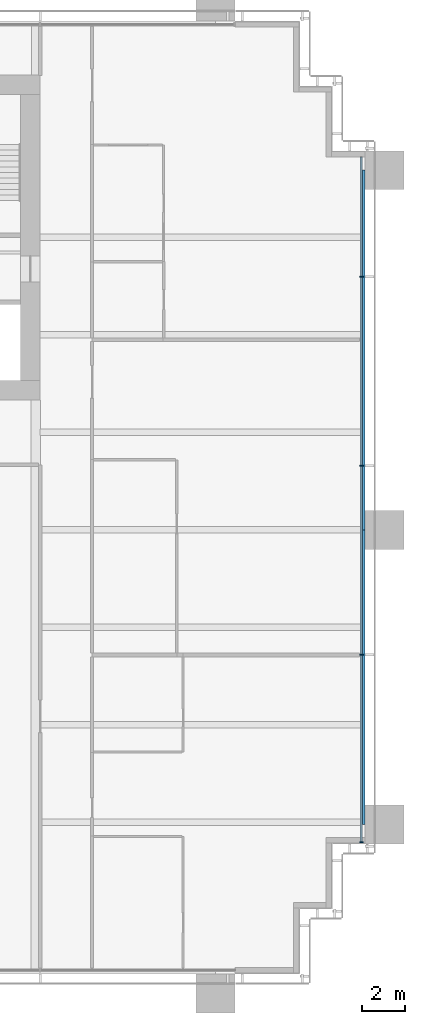
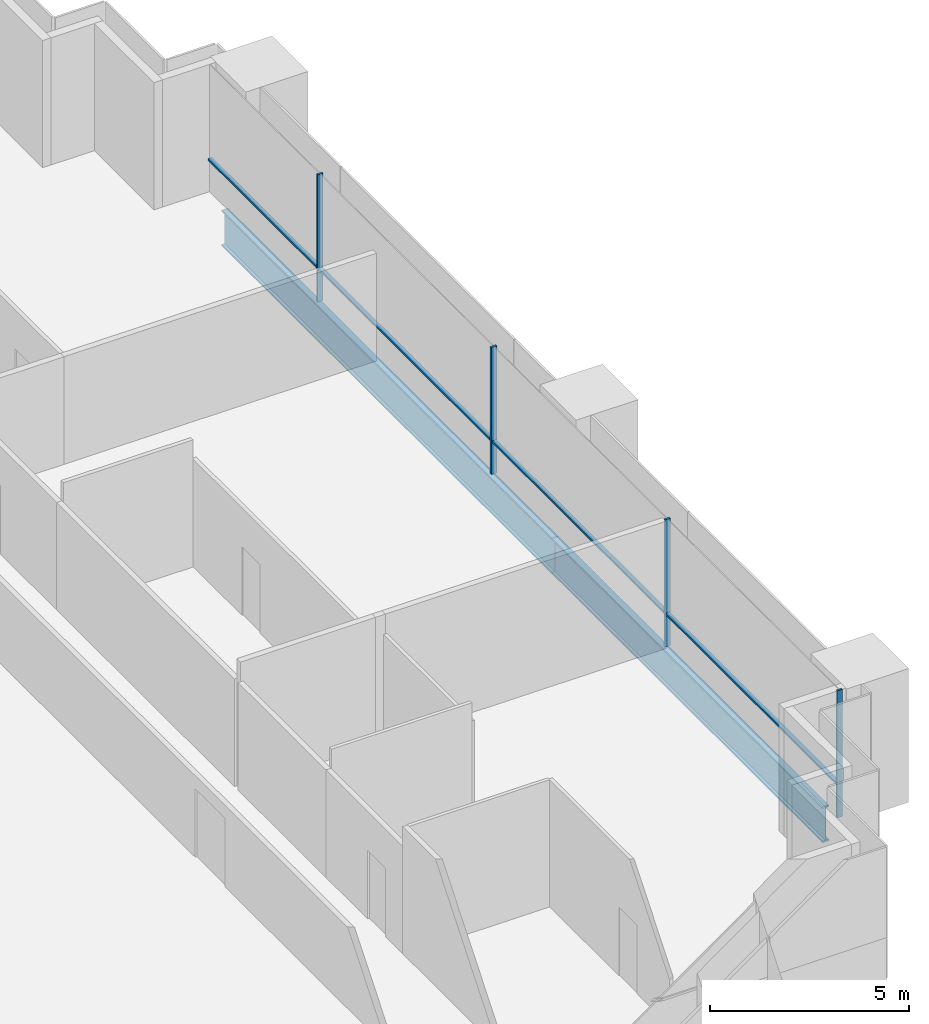
# One storey, part 9 of 19: 8 members, 2 beams, 1 element without a shape of its own.
"""IFC4 building model written with IfcOpenShell, lengths in metres."""

from ifc_helpers import new_model, si_unit, direction, frame, origin, origin_2d, place, context, subcontext, project, spatial, rectangle, i_section, extrude, material, material_profile, profile_set, type_object, element, aggregate, save


model = new_model("IFC4")

# Units and contexts
model_context = context("Model", 3, precision=1e-05, world=origin(), true_north=direction((0.0, 1.0)))
body_context = subcontext(model_context, "Body", "Model", "MODEL_VIEW")
ifc_project = project(units=[si_unit("LENGTHUNIT", "METRE"), si_unit("AREAUNIT", "SQUARE_METRE"), si_unit("VOLUMEUNIT", "CUBIC_METRE"), si_unit("PLANEANGLEUNIT", "RADIAN"), si_unit("MASSUNIT", "GRAM", prefix="KILO")], contexts=[model_context])

# Site, building, storey
site_placement = place(None, origin())
site = spatial("IfcSite", under=ifc_project, at=site_placement, CompositionType="ELEMENT")
building_placement = place(site_placement, origin())
building = spatial("IfcBuilding", under=site, at=building_placement, Name="Rattan Terrace Tower", CompositionType="ELEMENT")
storey_placement = place(building_placement, frame((0.0, 0.0, 65.199951171875)))
storey = spatial("IfcBuildingStorey", under=building, at=storey_placement, Name="L14", CompositionType="ELEMENT", Elevation=65.199951171875)

# Curtain wall, members
ifc_material_1 = material(Name="Aluminium and glass", Category="aluminium")
curtain_wall_type = type_object("IfcCurtainWallType", Name="Facade Unitised Curtain Wall", PredefinedType="NOTDEFINED", material=ifc_material_1)
curtain_wall_placement = place(storey_placement, origin())
curtain_wall = element("IfcCurtainWall", 1, at=curtain_wall_placement, inside=storey, type_object=curtain_wall_type, Name="Curtain wall L14-1", PredefinedType="NOTDEFINED")
ifc_material_2 = material(Name="Aluminium", Category="aluminium")
ifc_material_profile_1 = material_profile(ifc_material_2, rectangle(XDim=0.06005859375, YDim=0.159912109375, at=origin_2d()), Name="Aluminium 60x160")
ifc_profile_set_1 = profile_set([ifc_material_profile_1], Name="Aluminium")
member_type_1 = type_object("IfcMemberType", Name="Facade CW Mullion 60x160", PredefinedType="MULLION", material=ifc_profile_set_1)
member_1_placement = place(storey_placement, frame((32.830078125, -27.925048828125, 0.0), z_axis=(0.0, 0.0, 1.0), x_axis=(0.0, 1.0, 0.0)))
member_1 = element("IfcMember", 2, at=member_1_placement, type_object=member_type_1, Name="Mullion cwl-L14-001.1", PredefinedType="MULLION", context=body_context, shape_type="SweptSolid", body=[
    extrude(rectangle(XDim=0.06005859375, YDim=0.159912109375, at=origin_2d()), origin(), (0.0, 0.0, 1.0), 3.900146484375),
])
member_2_placement = place(storey_placement, frame((32.830078125, -19.27294921875, 0.0), z_axis=(0.0, 0.0, 1.0), x_axis=(0.0, 1.0, 0.0)))
member_2 = element("IfcMember", 3, at=member_2_placement, type_object=member_type_1, Name="Mullion cwl-L14-001.2", PredefinedType="MULLION", context=body_context, shape_type="SweptSolid", body=[
    extrude(rectangle(XDim=0.06005859375, YDim=0.159912109375, at=origin_2d()), origin(), (0.0, 0.0, 1.0), 3.900146484375),
])
member_3_placement = place(storey_placement, frame((32.830078125, -10.5458984375, 0.0), z_axis=(0.0, 0.0, 1.0), x_axis=(0.0, 1.0, 0.0)))
member_3 = element("IfcMember", 4, at=member_3_placement, type_object=member_type_1, Name="Mullion cwl-L14-001.3", PredefinedType="MULLION", context=body_context, shape_type="SweptSolid", body=[
    extrude(rectangle(XDim=0.06005859375, YDim=0.159912109375, at=origin_2d()), origin(), (0.0, 0.0, 1.0), 3.900146484375),
])
member_4_placement = place(storey_placement, frame((32.830078125, -1.819091796875, 0.0), z_axis=(0.0, 0.0, 1.0), x_axis=(0.0, 1.0, 0.0)))
member_4 = element("IfcMember", 5, at=member_4_placement, type_object=member_type_1, Name="Mullion cwl-L14-001.4", PredefinedType="MULLION", context=body_context, shape_type="SweptSolid", body=[
    extrude(rectangle(XDim=0.06005859375, YDim=0.159912109375, at=origin_2d()), origin(), (0.0, 0.0, 1.0), 3.900146484375),
])
ifc_material_3 = material(Name="Aluminium", Category="aluminium")
ifc_material_profile_2 = material_profile(ifc_material_3, rectangle(XDim=0.1201171875, YDim=0.06005859375, at=origin_2d()), Name="Aluminium 120x60")
ifc_profile_set_2 = profile_set([ifc_material_profile_2], Name="Aluminium")
member_type_2 = type_object("IfcMemberType", Name="Facade CW Transom 120x60", PredefinedType="USERDEFINED", material=ifc_profile_set_2)
member_5_placement = place(storey_placement, frame((32.830078125, -27.89501953125, 1.0), z_axis=(0.0, 1.0, 0.0), x_axis=(-1.0, 0.0, 0.0)))
member_5 = element("IfcMember", 6, at=member_5_placement, type_object=member_type_2, Name="Transom cwl-L14-001.1", ObjectType="TRANSOM", PredefinedType="USERDEFINED", context=body_context, shape_type="SweptSolid", body=[
    extrude(rectangle(XDim=0.1201171875, YDim=0.06005859375, at=origin_2d()), origin(), (0.0, 0.0, 1.0), 8.592041015625),
])
member_6_placement = place(storey_placement, frame((32.830078125, -19.242919921875, 1.0), z_axis=(0.0, 1.0, 0.0), x_axis=(-1.0, 0.0, 0.0)))
member_6 = element("IfcMember", 7, at=member_6_placement, type_object=member_type_2, Name="Transom cwl-L14-001.2", ObjectType="TRANSOM", PredefinedType="USERDEFINED", context=body_context, shape_type="SweptSolid", body=[
    extrude(rectangle(XDim=0.1201171875, YDim=0.06005859375, at=origin_2d()), origin(), (0.0, 0.0, 1.0), 8.6669921875),
])
member_7_placement = place(storey_placement, frame((32.830078125, -10.51611328125, 1.0), z_axis=(0.0, 1.0, 0.0), x_axis=(-1.0, 0.0, 0.0)))
member_7 = element("IfcMember", 8, at=member_7_placement, type_object=member_type_2, Name="Transom cwl-L14-001.3", ObjectType="TRANSOM", PredefinedType="USERDEFINED", context=body_context, shape_type="SweptSolid", body=[
    extrude(rectangle(XDim=0.1201171875, YDim=0.06005859375, at=origin_2d()), origin(), (0.0, 0.0, 1.0), 8.6669921875),
])
member_8_placement = place(storey_placement, frame((32.830078125, -1.7890625, 1.0), z_axis=(0.0, 1.0, 0.0), x_axis=(-1.0, 0.0, 0.0)))
member_8 = element("IfcMember", 9, at=member_8_placement, type_object=member_type_2, Name="Transom cwl-L14-001.4", ObjectType="TRANSOM", PredefinedType="USERDEFINED", context=body_context, shape_type="SweptSolid", body=[
    extrude(rectangle(XDim=0.1201171875, YDim=0.06005859375, at=origin_2d()), origin(), (0.0, 0.0, 1.0), 5.494140625),
])
aggregate(curtain_wall, [member_1, member_2, member_3, member_4, member_5, member_6, member_7, member_8])

# Beams
ifc_material_4 = material(Name="Steel S460", Category="steel")
ifc_material_profile_3 = material_profile(ifc_material_4, i_section(OverallWidth=0.179931640625, OverallDepth=1.10009765625, WebThickness=0.01611328125, FlangeThickness=0.050048828125, at=origin_2d()), Name="PG 1100x180-16-50")
ifc_profile_set_3 = profile_set([ifc_material_profile_3], Name="Steel S460")
beam_type = type_object("IfcBeamType", Name="Frame edge girder PG 1100x180-16-50", PredefinedType="SPANDREL", material=ifc_profile_set_3)
beam_1_placement = place(storey_placement, frame((32.909912109375, -27.10009765625, -0.75), z_axis=(0.0, 1.0, 0.0), x_axis=(-1.0, 0.0, 0.0)))
element("IfcBeam", 10, at=beam_1_placement, inside=storey, type_object=beam_type, Name="gdr-L14-005", PredefinedType="SPANDREL", context=body_context, shape_type="SweptSolid", body=[
    extrude(i_section(OverallWidth=0.179931640625, OverallDepth=1.10009765625, WebThickness=0.01611328125, FlangeThickness=0.050048828125, at=origin_2d()), origin(), (0.0, 0.0, 1.0), 13.60009765625),
])
beam_2_placement = place(storey_placement, frame((32.909912109375, -13.5, -0.75), z_axis=(0.0, 1.0, 0.0), x_axis=(-1.0, 0.0, 0.0)))
element("IfcBeam", 11, at=beam_2_placement, inside=storey, type_object=beam_type, Name="gdr-L14-007", PredefinedType="SPANDREL", context=body_context, shape_type="SweptSolid", body=[
    extrude(i_section(OverallWidth=0.179931640625, OverallDepth=1.10009765625, WebThickness=0.01611328125, FlangeThickness=0.050048828125, at=origin_2d()), origin(), (0.0, 0.0, 1.0), 16.60009765625),
])

save(model, "model.ifc")
